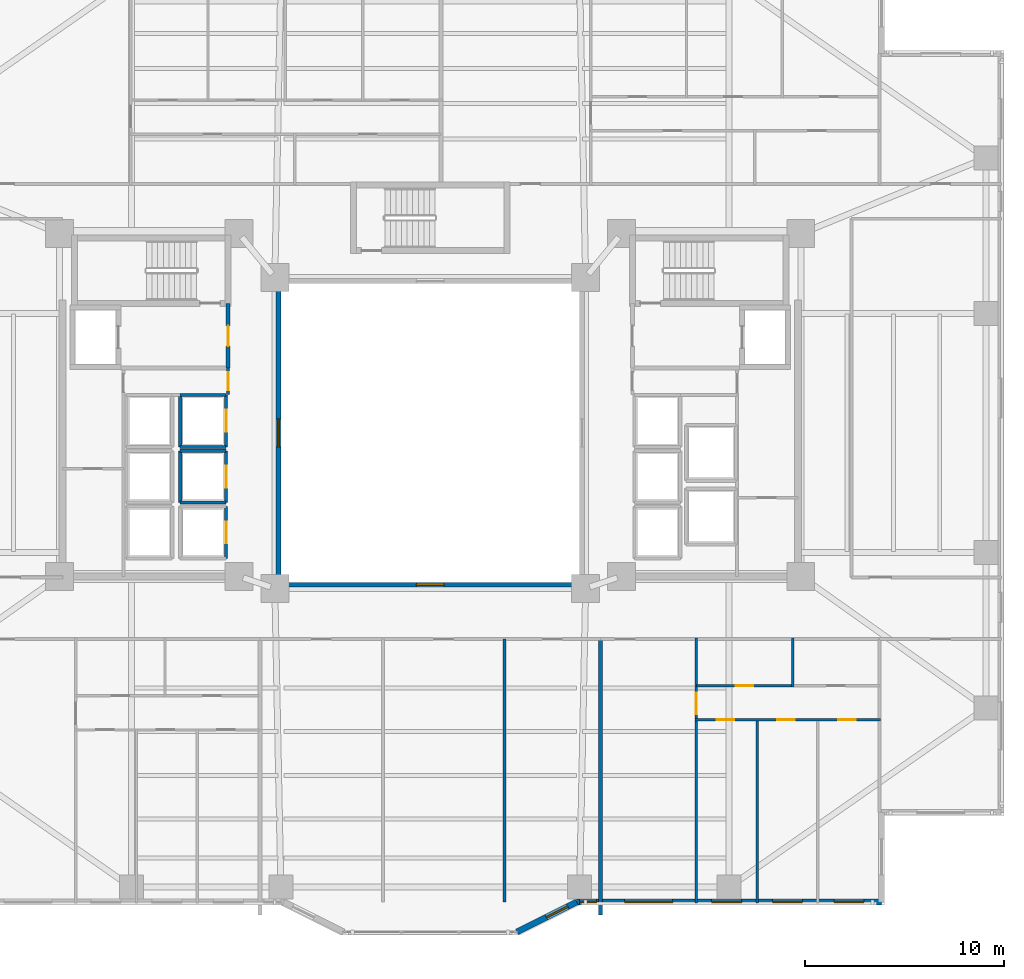
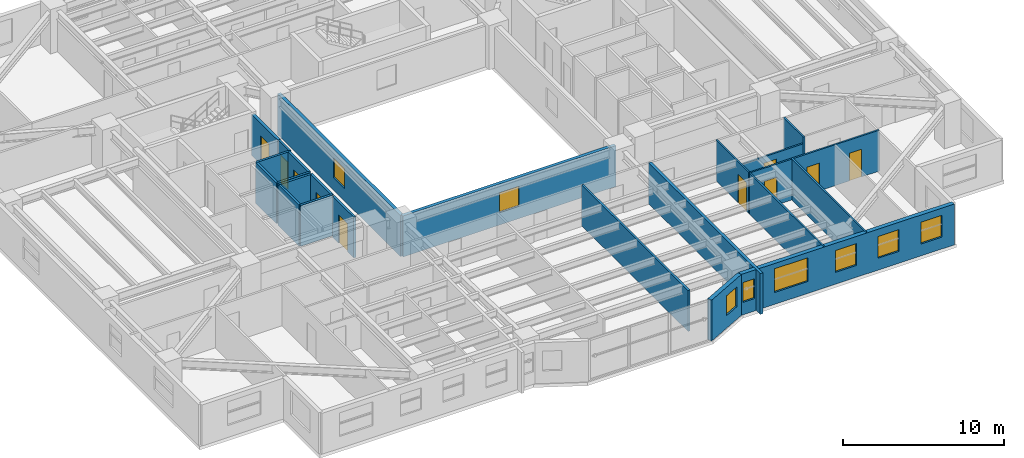
# One storey, part 11 of 20: 22 walls, 10 doors, 8 windows, 18 openings.
"""IFC4 building model written with IfcOpenShell, lengths in metres."""

from ifc_helpers import new_model, si_unit, direction, frame, frame_2d, origin, place, context, subcontext, project, spatial, rectangle, extrude, material, layer, layer_set, type_object, element, fill, save


model = new_model("IFC4")

# Units and contexts
model_context = context("Model", 3, precision=1e-05, world=origin(), true_north=direction((0.0, 1.0)))
body_context = subcontext(model_context, "Body", "Model", "MODEL_VIEW")
ifc_project = project(units=[si_unit("LENGTHUNIT", "METRE"), si_unit("AREAUNIT", "SQUARE_METRE"), si_unit("VOLUMEUNIT", "CUBIC_METRE"), si_unit("PLANEANGLEUNIT", "RADIAN"), si_unit("MASSUNIT", "GRAM", prefix="KILO")], contexts=[model_context])

# Site, building, storey
site_placement = place(None, origin())
site = spatial("IfcSite", under=ifc_project, at=site_placement, CompositionType="ELEMENT")
building_placement = place(site_placement, origin())
building = spatial("IfcBuilding", under=site, at=building_placement, Name="Tarnavaz Court Tower", CompositionType="ELEMENT")
storey_placement = place(building_placement, frame((0.0, 0.0, 34.050048828125)))
storey = spatial("IfcBuildingStorey", under=building, at=storey_placement, Name="L08", CompositionType="ELEMENT", Elevation=34.050048828125)

# Wall, openings, windows
ifc_material_1 = material(Name="Precast Concrete C40/50", Category="concrete")
ifc_layer_1 = layer(ifc_material_1, 0.300048828125)
ifc_layer_set_1 = layer_set([ifc_layer_1], Name="Precast Concrete C40/50")
wall_type_1 = type_object("IfcWallType", Name="WL-EXT-300", PredefinedType="SOLIDWALL", material=ifc_layer_set_1)
wall_1_placement = place(storey_placement, frame((22.64990234375, -23.550048828125, 0.0), z_axis=(0.0, 0.0, 1.0), x_axis=(-1.0, 0.0, 0.0)))
wall_1 = element("IfcWall", 1, at=wall_1_placement, inside=storey, type_object=wall_type_1, Name="L08 Exterior Terracotta Facade Wall 15", PredefinedType="SOLIDWALL", context=body_context, shape_type="SweptSolid", body=[
    extrude(rectangle(XDim=15.2998046875, YDim=0.300048828125, at=frame_2d((7.64990234375, 0.0))), origin(), (0.0, 0.0, 1.0), 3.099853515625),
])
opening_1_placement = place(wall_1_placement, frame((0.88037109375, 0.0, 0.89990234375)))
opening_1 = element("IfcOpeningElement", 2, at=opening_1_placement, cuts=wall_1, Name="Opening W03", PredefinedType="OPENING", context=body_context, shape_type="SweptSolid", body=[
    extrude(rectangle(XDim=1.5, YDim=1.64990234375, at=frame_2d((0.75, 0.824951171875))), frame((0.0, 0.159912109375, 0.0), z_axis=(0.0, -1.0, 0.0), x_axis=(1.0, 0.0, 0.0)), (0.0, 0.0, 1.0), 0.320068359375),
])
opening_2_placement = place(wall_1_placement, frame((3.96533203125, 0.0, 0.89990234375)))
opening_2 = element("IfcOpeningElement", 3, at=opening_2_placement, cuts=wall_1, Name="Opening W03", PredefinedType="OPENING", context=body_context, shape_type="SweptSolid", body=[
    extrude(rectangle(XDim=1.5, YDim=1.64990234375, at=frame_2d((0.75, 0.824951171875))), frame((0.0, 0.159912109375, 0.0), z_axis=(0.0, -1.0, 0.0), x_axis=(1.0, 0.0, 0.0)), (0.0, 0.0, 1.0), 0.320068359375),
])
opening_3_placement = place(wall_1_placement, frame((7.025390625, 0.0, 0.89990234375)))
opening_3 = element("IfcOpeningElement", 4, at=opening_3_placement, cuts=wall_1, Name="Opening W03", PredefinedType="OPENING", context=body_context, shape_type="SweptSolid", body=[
    extrude(rectangle(XDim=1.5, YDim=1.64990234375, at=frame_2d((0.75, 0.824951171875))), frame((0.0, 0.159912109375, 0.0), z_axis=(0.0, -1.0, 0.0), x_axis=(1.0, 0.0, 0.0)), (0.0, 0.0, 1.0), 0.320068359375),
])
opening_4_placement = place(wall_1_placement, frame((10.48828125, 0.0, 0.89990234375)))
opening_4 = element("IfcOpeningElement", 5, at=opening_4_placement, cuts=wall_1, Name="Opening W06", PredefinedType="OPENING", context=body_context, shape_type="SweptSolid", body=[
    extrude(rectangle(XDim=2.39990234375, YDim=1.800048828125, at=frame_2d((1.199951171875, 0.89990234375))), frame((0.0, 0.159912109375, 0.0), z_axis=(0.0, -1.0, 0.0), x_axis=(1.0, 0.0, 0.0)), (0.0, 0.0, 1.0), 0.320068359375),
])
opening_5_placement = place(wall_1_placement, frame((14.30322265625, 0.0, 0.949951171875)))
opening_5 = element("IfcOpeningElement", 6, at=opening_5_placement, cuts=wall_1, Name="Opening W15", PredefinedType="OPENING", context=body_context, shape_type="SweptSolid", body=[
    extrude(rectangle(XDim=0.85009765625, YDim=1.5, at=frame_2d((0.425048828125, 0.75))), frame((0.0, 0.159912109375, 0.0), z_axis=(0.0, -1.0, 0.0), x_axis=(1.0, 0.0, 0.0)), (0.0, 0.0, 1.0), 0.320068359375),
])
ifc_material_2 = material(Name="Double-Glazed Solar Low-E Glass", Category="glass")
window_type_1 = type_object("IfcWindowType", Name="WN-APT-1500", PartitioningType="DOUBLE_PANEL_VERTICAL", PredefinedType="WINDOW", material=ifc_material_2)
window_1_placement = place(opening_1_placement, origin())
window_1 = element("IfcWindow", 7, at=window_1_placement, inside=storey, type_object=window_type_1, Name="L08 Flat 04 Bedroom 3 Window", OverallHeight=1.64990234375, OverallWidth=1.5, PartitioningType="SINGLE_PANEL", PredefinedType="WINDOW", context=body_context, shape_type="SweptSolid", body=[
    extrude(rectangle(XDim=1.5, YDim=1.64990234375, at=frame_2d((0.75, 0.824951171875))), frame((0.0, 0.030029296875, 0.0), z_axis=(0.0, -1.0, 0.0), x_axis=(1.0, 0.0, 0.0)), (0.0, 0.0, 1.0), 0.06005859375),
])
fill(opening_1, window_1)
window_2_placement = place(opening_2_placement, origin())
window_2 = element("IfcWindow", 8, at=window_2_placement, inside=storey, type_object=window_type_1, Name="L08 Flat 04 Bedroom 2 Window", OverallHeight=1.64990234375, OverallWidth=1.5, PartitioningType="SINGLE_PANEL", PredefinedType="WINDOW", context=body_context, shape_type="SweptSolid", body=[
    extrude(rectangle(XDim=1.5, YDim=1.64990234375, at=frame_2d((0.75, 0.824951171875))), frame((0.0, 0.030029296875, 0.0), z_axis=(0.0, -1.0, 0.0), x_axis=(1.0, 0.0, 0.0)), (0.0, 0.0, 1.0), 0.06005859375),
])
fill(opening_2, window_2)
window_3_placement = place(opening_3_placement, origin())
window_3 = element("IfcWindow", 9, at=window_3_placement, inside=storey, type_object=window_type_1, Name="L08 Flat 04 Principal Bedroom Window", OverallHeight=1.64990234375, OverallWidth=1.5, PartitioningType="SINGLE_PANEL", PredefinedType="WINDOW", context=body_context, shape_type="SweptSolid", body=[
    extrude(rectangle(XDim=1.5, YDim=1.64990234375, at=frame_2d((0.75, 0.824951171875))), frame((0.0, 0.030029296875, 0.0), z_axis=(0.0, -1.0, 0.0), x_axis=(1.0, 0.0, 0.0)), (0.0, 0.0, 1.0), 0.06005859375),
])
fill(opening_3, window_3)
window_type_2 = type_object("IfcWindowType", Name="WN-APT-2400", PartitioningType="TRIPLE_PANEL_VERTICAL", PredefinedType="WINDOW", material=ifc_material_2)
window_4_placement = place(opening_4_placement, origin())
window_4 = element("IfcWindow", 10, at=window_4_placement, inside=storey, type_object=window_type_2, Name="L08 Flat 04 Living and Dining Room Window", OverallHeight=1.800048828125, OverallWidth=2.39990234375, PartitioningType="SINGLE_PANEL", PredefinedType="WINDOW", context=body_context, shape_type="SweptSolid", body=[
    extrude(rectangle(XDim=2.39990234375, YDim=1.800048828125, at=frame_2d((1.199951171875, 0.89990234375))), frame((0.0, 0.030029296875, 0.0), z_axis=(0.0, -1.0, 0.0), x_axis=(1.0, 0.0, 0.0)), (0.0, 0.0, 1.0), 0.06005859375),
])
fill(opening_4, window_4)
window_type_3 = type_object("IfcWindowType", Name="WN-APT-850", PartitioningType="SINGLE_PANEL", PredefinedType="WINDOW", material=ifc_material_2)
window_5_placement = place(opening_5_placement, origin())
window_5 = element("IfcWindow", 11, at=window_5_placement, inside=storey, type_object=window_type_3, Name="L08 Shared Community Tea Pantry Window", OverallHeight=1.5, OverallWidth=0.85009765625, PartitioningType="SINGLE_PANEL", PredefinedType="WINDOW", context=body_context, shape_type="SweptSolid", body=[
    extrude(rectangle(XDim=0.85009765625, YDim=1.5, at=frame_2d((0.425048828125, 0.75))), frame((0.0, 0.030029296875, 0.0), z_axis=(0.0, -1.0, 0.0), x_axis=(1.0, 0.0, 0.0)), (0.0, 0.0, 1.0), 0.06005859375),
])
fill(opening_5, window_5)

# Wall, opening, window
wall_2_placement = place(storey_placement, frame((7.35009765625, -23.550048828125, 0.0), z_axis=(0.0, 0.0, 1.0), x_axis=(-0.894427191, -0.4472135955, 0.0)))
wall_2 = element("IfcWall", 12, at=wall_2_placement, inside=storey, type_object=wall_type_1, Name="L08 Exterior Terracotta Facade Wall 16", PredefinedType="SOLIDWALL", context=body_context, shape_type="SweptSolid", body=[
    extrude(rectangle(XDim=3.35400390625, YDim=0.300048828125, at=frame_2d((1.677001953125, 0.0))), origin(), (0.0, 0.0, 1.0), 3.099853515625),
])
opening_6_placement = place(wall_2_placement, frame((0.501220703125, 0.0, 0.949951171875)))
opening_6 = element("IfcOpeningElement", 13, at=opening_6_placement, cuts=wall_2, Name="Opening W05", PredefinedType="OPENING", context=body_context, shape_type="SweptSolid", body=[
    extrude(rectangle(XDim=1.199951171875, YDim=1.5, at=frame_2d((0.60009765625, 0.75))), frame((0.0, 0.159912109375, 0.0), z_axis=(0.0, -1.0, 0.0), x_axis=(1.0, 0.0, 0.0)), (0.0, 0.0, 1.0), 0.320068359375),
])
window_type_4 = type_object("IfcWindowType", Name="WN-APT-1200", PartitioningType="SINGLE_PANEL", PredefinedType="WINDOW", material=ifc_material_2)
window_6_placement = place(opening_6_placement, origin())
window_6 = element("IfcWindow", 14, at=window_6_placement, inside=storey, type_object=window_type_4, Name="L08 Shared Community Tea Pantry Window", OverallHeight=1.5, OverallWidth=1.199951171875, PartitioningType="SINGLE_PANEL", PredefinedType="WINDOW", context=body_context, shape_type="SweptSolid", body=[
    extrude(rectangle(XDim=1.199951171875, YDim=1.5, at=frame_2d((0.60009765625, 0.75))), frame((0.0, 0.030029296875, 0.0), z_axis=(0.0, -1.0, 0.0), x_axis=(1.0, 0.0, 0.0)), (0.0, 0.0, 1.0), 0.06005859375),
])
fill(opening_6, window_6)

# Wall, opening, door
ifc_material_3 = material(Name="Autoclaved Aerated Concrete Blockwork", Category="masonry")
ifc_layer_2 = layer(ifc_material_3, 0.199951171875)
ifc_layer_set_2 = layer_set([ifc_layer_2], Name="Autoclaved Aerated Concrete Blockwork")
wall_type_2 = type_object("IfcWallType", Name="WL-FIRE-200", PredefinedType="SOLIDWALL", material=ifc_layer_set_2)
wall_3_placement = place(storey_placement, frame((-10.14990234375, 3.25, 0.0), z_axis=(0.0, 0.0, 1.0), x_axis=(0.0, 1.0, 0.0)))
wall_3 = element("IfcWall", 15, at=wall_3_placement, inside=storey, type_object=wall_type_2, Name="L08 West Firefighting Lobby Wall 014", PredefinedType="SOLIDWALL", context=body_context, shape_type="SweptSolid", body=[
    extrude(rectangle(XDim=3.25, YDim=0.199951171875, at=frame_2d((1.625, 0.0))), origin(), (0.0, 0.0, 1.0), 3.099853515625),
])
opening_7_placement = place(wall_3_placement, frame((1.10009765625, 0.0, 0.0)))
opening_7 = element("IfcOpeningElement", 16, at=opening_7_placement, cuts=wall_3, Name="Opening D05", PredefinedType="OPENING", context=body_context, shape_type="SweptSolid", body=[
    extrude(rectangle(XDim=1.02001953125, YDim=2.14990234375, at=frame_2d((0.510009765625, 1.074951171875))), frame((0.0, 0.10986328125, 0.0), z_axis=(0.0, -1.0, 0.0), x_axis=(1.0, 0.0, 0.0)), (0.0, 0.0, 1.0), 0.219970703125),
])
ifc_material_4 = material(Name="Fire-Rated Hardwood Timber Core", Category="wood")
door_type_1 = type_object("IfcDoorType", Name="DR-FD60-1000", OperationType="NOTDEFINED", PredefinedType="DOOR", material=ifc_material_4)
door_1_placement = place(opening_7_placement, origin())
door_1 = element("IfcDoor", 17, at=door_1_placement, inside=storey, type_object=door_type_1, Name="L08 West Firefighting Lobby Door", OperationType="SINGLE_SWING_RIGHT", OverallHeight=2.14990234375, OverallWidth=1.02001953125, PredefinedType="DOOR", context=body_context, shape_type="SweptSolid", body=[
    extrude(rectangle(XDim=1.02001953125, YDim=2.14990234375, at=frame_2d((0.510009765625, 1.074951171875))), frame((0.0, 0.02490234375, 0.0), z_axis=(0.0, -1.0, 0.0), x_axis=(1.0, 0.0, 0.0)), (0.0, 0.0, 1.0), 0.050048828125),
])
fill(opening_7, door_1)

# Wall
wall_4_placement = place(storey_placement, frame((8.550048828125, -24.2041015625, 0.0), z_axis=(0.0, 0.0, 1.0), x_axis=(0.0, 1.0, 0.0)))
element("IfcWall", 18, at=wall_4_placement, inside=storey, type_object=wall_type_2, Name="L08 Party Wall 118", PredefinedType="SOLIDWALL", context=body_context, shape_type="SweptSolid", body=[
    extrude(rectangle(XDim=13.85400390625, YDim=0.199951171875, at=frame_2d((6.927001953125, 0.0))), origin(), (0.0, 0.0, 1.0), 3.099853515625),
])

# Wall, opening, door
ifc_material_5 = material(Name="Moisture-Resistant Gypsum Board Partition", Category="masonry")
ifc_layer_3 = layer(ifc_material_5, 0.1201171875)
ifc_layer_set_3 = layer_set([ifc_layer_3], Name="Moisture-Resistant Gypsum Board Partition")
wall_type_3 = type_object("IfcWallType", Name="WL-PART-120", PredefinedType="PARTITIONING", material=ifc_layer_set_3)
wall_5_placement = place(storey_placement, frame((13.362060546875, -23.60009765625, 0.0), z_axis=(0.0, 0.0, 1.0), x_axis=(0.0, 1.0, 0.0)))
wall_5 = element("IfcWall", 19, at=wall_5_placement, inside=storey, type_object=wall_type_3, Name="L08 Interior Partition 110", PredefinedType="PARTITIONING", context=body_context, shape_type="SweptSolid", body=[
    extrude(rectangle(XDim=13.31005859375, YDim=0.1201171875, at=frame_2d((6.655029296875, 0.0))), origin(), (0.0, 0.0, 1.0), 3.099853515625),
])
opening_8_placement = place(wall_5_placement, frame((9.485107421875, 0.0, 0.0)))
opening_8 = element("IfcOpeningElement", 20, at=opening_8_placement, cuts=wall_5, Name="Opening D12", PredefinedType="OPENING", context=body_context, shape_type="SweptSolid", body=[
    extrude(rectangle(XDim=1.080078125, YDim=2.14990234375, at=frame_2d((0.5400390625, 1.074951171875))), frame((0.0, 0.070068359375, 0.0), z_axis=(0.0, -1.0, 0.0), x_axis=(1.0, 0.0, 0.0)), (0.0, 0.0, 1.0), 0.14013671875),
])
ifc_material_6 = material(Name="Engineered Oak Timber", Category="wood")
door_type_2 = type_object("IfcDoorType", Name="DR-INT-1100", OperationType="NOTDEFINED", PredefinedType="DOOR", material=ifc_material_6)
door_2_placement = place(opening_8_placement, origin())
door_2 = element("IfcDoor", 21, at=door_2_placement, inside=storey, type_object=door_type_2, Name="L08 Flat 04 Foyer Door", OperationType="SINGLE_SWING_RIGHT", OverallHeight=2.14990234375, OverallWidth=1.080078125, PredefinedType="DOOR", context=body_context, shape_type="SweptSolid", body=[
    extrude(rectangle(XDim=1.080078125, YDim=2.14990234375, at=frame_2d((0.5400390625, 1.074951171875))), frame((0.0, 0.02490234375, 0.0), z_axis=(0.0, -1.0, 0.0), x_axis=(1.0, 0.0, 0.0)), (0.0, 0.0, 1.0), 0.050048828125),
])
fill(opening_8, door_2)

wall_6_placement = place(storey_placement, frame((13.362060546875, -12.68994140625, 0.0), z_axis=(0.0, 0.0, 1.0), x_axis=(1.0, 0.0, 0.0)))
wall_6 = element("IfcWall", 22, at=wall_6_placement, inside=storey, type_object=wall_type_3, Name="L08 Interior Partition 111", PredefinedType="PARTITIONING", context=body_context, shape_type="SweptSolid", body=[
    extrude(rectangle(XDim=4.837890625, YDim=0.1201171875, at=frame_2d((2.4189453125, 0.0))), origin(), (0.0, 0.0, 1.0), 2.5849609375),
])
opening_9_placement = place(wall_6_placement, frame((1.97900390625, 0.0, 0.0)))
opening_9 = element("IfcOpeningElement", 23, at=opening_9_placement, cuts=wall_6, Name="Opening D14", PredefinedType="OPENING", context=body_context, shape_type="SweptSolid", body=[
    extrude(rectangle(XDim=0.8798828125, YDim=2.10009765625, at=frame_2d((0.43994140625, 1.050048828125))), frame((0.0, 0.070068359375, 0.0), z_axis=(0.0, -1.0, 0.0), x_axis=(1.0, 0.0, 0.0)), (0.0, 0.0, 1.0), 0.14013671875),
])
door_type_3 = type_object("IfcDoorType", Name="DR-INT-900", OperationType="NOTDEFINED", PredefinedType="DOOR", material=ifc_material_6)
door_3_placement = place(opening_9_placement, origin())
door_3 = element("IfcDoor", 24, at=door_3_placement, inside=storey, type_object=door_type_3, Name="L08 Flat 04 Kitchen Door", OperationType="SINGLE_SWING_LEFT", OverallHeight=2.10009765625, OverallWidth=0.8798828125, PredefinedType="DOOR", context=body_context, shape_type="SweptSolid", body=[
    extrude(rectangle(XDim=0.8798828125, YDim=2.10009765625, at=frame_2d((0.43994140625, 1.050048828125))), frame((0.0, 0.02490234375, 0.0), z_axis=(0.0, -1.0, 0.0), x_axis=(1.0, 0.0, 0.0)), (0.0, 0.0, 1.0), 0.050048828125),
])
fill(opening_9, door_3)

# Wall, openings, doors
wall_7_placement = place(storey_placement, frame((13.302001953125, -14.39990234375, 0.0), z_axis=(0.0, 0.0, 1.0), x_axis=(1.0, 0.0, 0.0)))
wall_7 = element("IfcWall", 25, at=wall_7_placement, inside=storey, type_object=wall_type_3, Name="L08 Interior Partition 113", PredefinedType="PARTITIONING", context=body_context, shape_type="SweptSolid", body=[
    extrude(rectangle(XDim=9.30810546875, YDim=0.1201171875, at=frame_2d((4.654052734375, 0.0))), origin(), (0.0, 0.0, 1.0), 3.099853515625),
])
opening_10_placement = place(wall_7_placement, frame((1.0810546875, 0.0, 0.0)))
opening_10 = element("IfcOpeningElement", 26, at=opening_10_placement, cuts=wall_7, Name="Opening D14", PredefinedType="OPENING", context=body_context, shape_type="SweptSolid", body=[
    extrude(rectangle(XDim=0.8798828125, YDim=2.10009765625, at=frame_2d((0.43994140625, 1.050048828125))), frame((0.0, 0.070068359375, 0.0), z_axis=(0.0, -1.0, 0.0), x_axis=(1.0, 0.0, 0.0)), (0.0, 0.0, 1.0), 0.14013671875),
])
opening_11_placement = place(wall_7_placement, frame((4.1240234375, 0.0, 0.0)))
opening_11 = element("IfcOpeningElement", 27, at=opening_11_placement, cuts=wall_7, Name="Opening D14", PredefinedType="OPENING", context=body_context, shape_type="SweptSolid", body=[
    extrude(rectangle(XDim=0.8798828125, YDim=2.10009765625, at=frame_2d((0.43994140625, 1.050048828125))), frame((0.0, 0.070068359375, 0.0), z_axis=(0.0, -1.0, 0.0), x_axis=(1.0, 0.0, 0.0)), (0.0, 0.0, 1.0), 0.14013671875),
])
opening_12_placement = place(wall_7_placement, frame((7.1669921875, 0.0, 0.0)))
opening_12 = element("IfcOpeningElement", 28, at=opening_12_placement, cuts=wall_7, Name="Opening D14", PredefinedType="OPENING", context=body_context, shape_type="SweptSolid", body=[
    extrude(rectangle(XDim=0.8798828125, YDim=2.10009765625, at=frame_2d((0.43994140625, 1.050048828125))), frame((0.0, 0.070068359375, 0.0), z_axis=(0.0, -1.0, 0.0), x_axis=(1.0, 0.0, 0.0)), (0.0, 0.0, 1.0), 0.14013671875),
])
door_4_placement = place(opening_10_placement, origin())
door_4 = element("IfcDoor", 29, at=door_4_placement, inside=storey, type_object=door_type_3, Name="L08 Flat 04 Bedroom 1 Door", OperationType="SINGLE_SWING_LEFT", OverallHeight=2.10009765625, OverallWidth=0.8798828125, PredefinedType="DOOR", context=body_context, shape_type="SweptSolid", body=[
    extrude(rectangle(XDim=0.8798828125, YDim=2.10009765625, at=frame_2d((0.43994140625, 1.050048828125))), frame((0.0, 0.02490234375, 0.0), z_axis=(0.0, -1.0, 0.0), x_axis=(1.0, 0.0, 0.0)), (0.0, 0.0, 1.0), 0.050048828125),
])
fill(opening_10, door_4)
door_5_placement = place(opening_11_placement, origin())
door_5 = element("IfcDoor", 30, at=door_5_placement, inside=storey, type_object=door_type_3, Name="L08 Flat 04 Bedroom 2 Door", OperationType="SINGLE_SWING_RIGHT", OverallHeight=2.10009765625, OverallWidth=0.8798828125, PredefinedType="DOOR", context=body_context, shape_type="SweptSolid", body=[
    extrude(rectangle(XDim=0.8798828125, YDim=2.10009765625, at=frame_2d((0.43994140625, 1.050048828125))), frame((0.0, 0.02490234375, 0.0), z_axis=(0.0, -1.0, 0.0), x_axis=(1.0, 0.0, 0.0)), (0.0, 0.0, 1.0), 0.050048828125),
])
fill(opening_11, door_5)
door_6_placement = place(opening_12_placement, origin())
door_6 = element("IfcDoor", 31, at=door_6_placement, inside=storey, type_object=door_type_3, Name="L08 Flat 04 Bedroom 3 Door", OperationType="SINGLE_SWING_LEFT", OverallHeight=2.10009765625, OverallWidth=0.8798828125, PredefinedType="DOOR", context=body_context, shape_type="SweptSolid", body=[
    extrude(rectangle(XDim=0.8798828125, YDim=2.10009765625, at=frame_2d((0.43994140625, 1.050048828125))), frame((0.0, 0.02490234375, 0.0), z_axis=(0.0, -1.0, 0.0), x_axis=(1.0, 0.0, 0.0)), (0.0, 0.0, 1.0), 0.050048828125),
])
fill(opening_12, door_6)

# Walls
wall_8_placement = place(storey_placement, frame((18.199951171875, -12.75, 0.0), z_axis=(0.0, 0.0, 1.0), x_axis=(0.0, 1.0, 0.0)))
element("IfcWall", 32, at=wall_8_placement, inside=storey, type_object=wall_type_3, Name="L08 Interior Partition 114", PredefinedType="PARTITIONING", context=body_context, shape_type="SweptSolid", body=[
    extrude(rectangle(XDim=2.4599609375, YDim=0.1201171875, at=frame_2d((1.22998046875, 0.0))), origin(), (0.0, 0.0, 1.0), 3.099853515625),
])
wall_9_placement = place(storey_placement, frame((16.405029296875, -23.60009765625, 0.0), z_axis=(0.0, 0.0, 1.0), x_axis=(0.0, 1.0, 0.0)))
element("IfcWall", 33, at=wall_9_placement, inside=storey, type_object=wall_type_3, Name="L08 Interior Partition 115", PredefinedType="PARTITIONING", context=body_context, shape_type="SweptSolid", body=[
    extrude(rectangle(XDim=9.260009765625, YDim=0.1201171875, at=frame_2d((4.6298828125, 0.0))), origin(), (0.0, 0.0, 1.0), 3.099853515625),
])

# Wall, opening, door
ifc_material_7 = material(Name="Gypsum Plasterboard Acoustic Partition", Category="masonry")
ifc_layer_4 = layer(ifc_material_7, 0.139892578125)
ifc_layer_set_4 = layer_set([ifc_layer_4], Name="Gypsum Plasterboard Acoustic Partition")
wall_type_4 = type_object("IfcWallType", Name="WL-PART-150", PredefinedType="PARTITIONING", material=ifc_layer_set_4)
wall_10_placement = place(storey_placement, frame((-10.14990234375, 1.919921875, 0.0), z_axis=(0.0, 0.0, 1.0), x_axis=(0.0, 1.0, 0.0)))
wall_10 = element("IfcWall", 34, at=wall_10_placement, inside=storey, type_object=wall_type_4, Name="L08 Interior Partition 074", PredefinedType="PARTITIONING", context=body_context, shape_type="SweptSolid", body=[
    extrude(rectangle(XDim=1.330078125, YDim=0.139892578125, at=frame_2d((0.6650390625, 0.0))), origin(), (0.0, 0.0, 1.0), 3.099853515625),
])
opening_13_placement = place(wall_10_placement, frame((0.219970703125, 0.0, 0.0)))
opening_13 = element("IfcOpeningElement", 35, at=opening_13_placement, cuts=wall_10, Name="Opening D09", PredefinedType="OPENING", context=body_context, shape_type="SweptSolid", body=[
    extrude(rectangle(XDim=0.89990234375, YDim=2.080078125, at=frame_2d((0.449951171875, 1.0400390625))), frame((0.0, 0.079833984375, 0.0), z_axis=(0.0, -1.0, 0.0), x_axis=(1.0, 0.0, 0.0)), (0.0, 0.0, 1.0), 0.159912109375),
])
door_type_4 = type_object("IfcDoorType", Name="DR-FD30-900", OperationType="NOTDEFINED", PredefinedType="DOOR", material=ifc_material_4)
door_7_placement = place(opening_13_placement, origin())
door_7 = element("IfcDoor", 36, at=door_7_placement, inside=storey, type_object=door_type_4, Name="L08 West Core Service Lobby Door", OperationType="SINGLE_SWING_LEFT", OverallHeight=2.080078125, OverallWidth=0.89990234375, PredefinedType="DOOR", context=body_context, shape_type="SweptSolid", body=[
    extrude(rectangle(XDim=0.89990234375, YDim=2.080078125, at=frame_2d((0.449951171875, 1.0400390625))), frame((0.0, 0.02490234375, 0.0), z_axis=(0.0, -1.0, 0.0), x_axis=(1.0, 0.0, 0.0)), (0.0, 0.0, 1.0), 0.050048828125),
])
fill(opening_13, door_7)

# Wall
wall_11_placement = place(storey_placement, frame((3.73095703125, -23.550048828125, 0.0), z_axis=(0.0, 0.0, 1.0), x_axis=(0.0, 1.0, 0.0)))
element("IfcWall", 37, at=wall_11_placement, inside=storey, type_object=wall_type_4, Name="L08 Interior Partition 120", PredefinedType="PARTITIONING", context=body_context, shape_type="SweptSolid", body=[
    extrude(rectangle(XDim=13.199951171875, YDim=0.139892578125, at=frame_2d((6.60009765625, 0.0))), origin(), (0.0, 0.0, 1.0), 3.099853515625),
])

# Wall, opening, door
ifc_layer_5 = layer(ifc_material_3, 0.159912109375)
ifc_layer_set_5 = layer_set([ifc_layer_5], Name="Autoclaved Aerated Concrete Blockwork")
wall_type_5 = type_object("IfcWallType", Name="WL-SHAFT-150", PredefinedType="SOLIDWALL", material=ifc_layer_set_5)
wall_12_placement = place(storey_placement, frame((-10.25, -6.300048828125, 0.0), z_axis=(0.0, 0.0, 1.0), x_axis=(0.0, 1.0, 0.0)))
wall_12 = element("IfcWall", 38, at=wall_12_placement, inside=storey, type_object=wall_type_5, Name="L08 Lift PL-L1 Shaft Wall 022", PredefinedType="SOLIDWALL", context=body_context, shape_type="SweptSolid", body=[
    extrude(rectangle(XDim=2.60009765625, YDim=0.159912109375, at=frame_2d((1.300048828125, 0.0))), origin(), (0.0, 0.0, 1.0), 3.099853515625),
])
opening_14_placement = place(wall_12_placement, frame((0.75, 0.0, 0.0)))
opening_14 = element("IfcOpeningElement", 39, at=opening_14_placement, cuts=wall_12, Name="Opening LD1", PredefinedType="OPENING", context=body_context, shape_type="SweptSolid", body=[
    extrude(rectangle(XDim=1.10009765625, YDim=2.14990234375, at=frame_2d((0.550048828125, 1.074951171875))), frame((0.0, 0.08984375, 0.0), z_axis=(0.0, -1.0, 0.0), x_axis=(1.0, 0.0, 0.0)), (0.0, 0.0, 1.0), 0.179931640625),
])
ifc_material_8 = material(Name="Stainless Steel", Category="steel")
door_type_5 = type_object("IfcDoorType", Name="DR-LD-1100", OperationType="NOTDEFINED", PredefinedType="DOOR", material=ifc_material_8)
door_8_placement = place(opening_14_placement, origin())
door_8 = element("IfcDoor", 40, at=door_8_placement, inside=storey, type_object=door_type_5, Name="L08 Lift Landing Door LD-PL-L1", OperationType="SLIDING_TO_LEFT", OverallHeight=2.14990234375, OverallWidth=1.10009765625, PredefinedType="DOOR", context=body_context, shape_type="SweptSolid", body=[
    extrude(rectangle(XDim=1.10009765625, YDim=2.14990234375, at=frame_2d((0.550048828125, 1.074951171875))), frame((0.0, 0.02490234375, 0.0), z_axis=(0.0, -1.0, 0.0), x_axis=(1.0, 0.0, 0.0)), (0.0, 0.0, 1.0), 0.050048828125),
])
fill(opening_14, door_8)

# Wall
wall_13_placement = place(storey_placement, frame((-12.550048828125, -3.5, 0.0), z_axis=(0.0, 0.0, 1.0), x_axis=(0.0, 1.0, 0.0)))
element("IfcWall", 41, at=wall_13_placement, inside=storey, type_object=wall_type_5, Name="L08 Lift PL-L2 Shaft Wall 025", PredefinedType="SOLIDWALL", context=body_context, shape_type="SweptSolid", body=[
    extrude(rectangle(XDim=2.60009765625, YDim=0.159912109375, at=frame_2d((1.300048828125, 0.0))), origin(), (0.0, 0.0, 1.0), 3.099853515625),
])

# Wall, opening, door
wall_14_placement = place(storey_placement, frame((-10.25, -3.5, 0.0), z_axis=(0.0, 0.0, 1.0), x_axis=(0.0, 1.0, 0.0)))
wall_14 = element("IfcWall", 42, at=wall_14_placement, inside=storey, type_object=wall_type_5, Name="L08 Lift PL-L2 Shaft Wall 026", PredefinedType="SOLIDWALL", context=body_context, shape_type="SweptSolid", body=[
    extrude(rectangle(XDim=2.60009765625, YDim=0.159912109375, at=frame_2d((1.300048828125, 0.0))), origin(), (0.0, 0.0, 1.0), 3.099853515625),
])
opening_15_placement = place(wall_14_placement, frame((0.75, 0.0, 0.0)))
opening_15 = element("IfcOpeningElement", 43, at=opening_15_placement, cuts=wall_14, Name="Opening LD1", PredefinedType="OPENING", context=body_context, shape_type="SweptSolid", body=[
    extrude(rectangle(XDim=1.10009765625, YDim=2.14990234375, at=frame_2d((0.550048828125, 1.074951171875))), frame((0.0, 0.08984375, 0.0), z_axis=(0.0, -1.0, 0.0), x_axis=(1.0, 0.0, 0.0)), (0.0, 0.0, 1.0), 0.179931640625),
])
door_9_placement = place(opening_15_placement, origin())
door_9 = element("IfcDoor", 44, at=door_9_placement, inside=storey, type_object=door_type_5, Name="L08 Lift Landing Door LD-PL-L2", OperationType="SLIDING_TO_LEFT", OverallHeight=2.14990234375, OverallWidth=1.10009765625, PredefinedType="DOOR", context=body_context, shape_type="SweptSolid", body=[
    extrude(rectangle(XDim=1.10009765625, YDim=2.14990234375, at=frame_2d((0.550048828125, 1.074951171875))), frame((0.0, 0.02490234375, 0.0), z_axis=(0.0, -1.0, 0.0), x_axis=(1.0, 0.0, 0.0)), (0.0, 0.0, 1.0), 0.050048828125),
])
fill(opening_15, door_9)

# Walls
for number, where, z_axis, x_axis, name in (
    (45, (-12.550048828125, -3.5, 0.0), (0.0, 0.0, 1.0), (1.0, 0.0, 0.0), "L08 Lift PL-L2 Shaft Wall 027"),
    (46, (-12.550048828125, -0.89990234375, 0.0), (0.0, 0.0, 1.0), (1.0, 0.0, 0.0), "L08 Lift PL-L2 Shaft Wall 028"),
):
    element("IfcWall", number, at=place(storey_placement, frame(where, z_axis=z_axis, x_axis=x_axis)), inside=storey, type_object=wall_type_5, Name=name, PredefinedType="SOLIDWALL", context=body_context, shape_type="SweptSolid", body=[
        extrude(rectangle(XDim=2.300048828125, YDim=0.159912109375, at=frame_2d((1.14990234375, 0.0))), origin(), (0.0, 0.0, 1.0), 3.099853515625),
    ])
wall_15_placement = place(storey_placement, frame((-12.550048828125, -0.699951171875, 0.0), z_axis=(0.0, 0.0, 1.0), x_axis=(0.0, 1.0, 0.0)))
element("IfcWall", 47, at=wall_15_placement, inside=storey, type_object=wall_type_5, Name="L08 Lift PL-L3 Shaft Wall 029", PredefinedType="SOLIDWALL", context=body_context, shape_type="SweptSolid", body=[
    extrude(rectangle(XDim=2.599853515625, YDim=0.159912109375, at=frame_2d((1.2998046875, 0.0))), origin(), (0.0, 0.0, 1.0), 3.099853515625),
])

# Wall, opening, door
wall_16_placement = place(storey_placement, frame((-10.25, -0.699951171875, 0.0), z_axis=(0.0, 0.0, 1.0), x_axis=(0.0, 1.0, 0.0)))
wall_16 = element("IfcWall", 48, at=wall_16_placement, inside=storey, type_object=wall_type_5, Name="L08 Lift PL-L3 Shaft Wall 030", PredefinedType="SOLIDWALL", context=body_context, shape_type="SweptSolid", body=[
    extrude(rectangle(XDim=2.599853515625, YDim=0.159912109375, at=frame_2d((1.2998046875, 0.0))), origin(), (0.0, 0.0, 1.0), 3.099853515625),
])
opening_16_placement = place(wall_16_placement, frame((0.75, 0.0, 0.0)))
opening_16 = element("IfcOpeningElement", 49, at=opening_16_placement, cuts=wall_16, Name="Opening LD1", PredefinedType="OPENING", context=body_context, shape_type="SweptSolid", body=[
    extrude(rectangle(XDim=1.10009765625, YDim=2.14990234375, at=frame_2d((0.550048828125, 1.074951171875))), frame((0.0, 0.08984375, 0.0), z_axis=(0.0, -1.0, 0.0), x_axis=(1.0, 0.0, 0.0)), (0.0, 0.0, 1.0), 0.179931640625),
])
door_10_placement = place(opening_16_placement, origin())
door_10 = element("IfcDoor", 50, at=door_10_placement, inside=storey, type_object=door_type_5, Name="L08 Lift Landing Door LD-PL-L3", OperationType="SLIDING_TO_LEFT", OverallHeight=2.14990234375, OverallWidth=1.10009765625, PredefinedType="DOOR", context=body_context, shape_type="SweptSolid", body=[
    extrude(rectangle(XDim=1.10009765625, YDim=2.14990234375, at=frame_2d((0.550048828125, 1.074951171875))), frame((0.0, 0.02490234375, 0.0), z_axis=(0.0, -1.0, 0.0), x_axis=(1.0, 0.0, 0.0)), (0.0, 0.0, 1.0), 0.050048828125),
])
fill(opening_16, door_10)

# Walls
for number, where, z_axis, x_axis, name in (
    (51, (-12.550048828125, -0.699951171875, 0.0), (0.0, 0.0, 1.0), (1.0, 0.0, 0.0), "L08 Lift PL-L3 Shaft Wall 031"),
    (52, (-12.550048828125, 1.89990234375, 0.0), (0.0, 0.0, 1.0), (1.0, 0.0, 0.0), "L08 Lift PL-L3 Shaft Wall 032"),
):
    element("IfcWall", number, at=place(storey_placement, frame(where, z_axis=z_axis, x_axis=x_axis)), inside=storey, type_object=wall_type_5, Name=name, PredefinedType="SOLIDWALL", context=body_context, shape_type="SweptSolid", body=[
        extrude(rectangle(XDim=2.300048828125, YDim=0.159912109375, at=frame_2d((1.14990234375, 0.0))), origin(), (0.0, 0.0, 1.0), 3.099853515625),
    ])

# Wall, opening, window
ifc_layer_6 = layer(ifc_material_1, 0.239990234375)
ifc_layer_set_6 = layer_set([ifc_layer_6], Name="Precast Concrete C40/50")
wall_type_6 = type_object("IfcWallType", Name="WL-WELL-240", PredefinedType="SOLIDWALL", material=ifc_layer_set_6)
wall_17_placement = place(storey_placement, frame((-7.6201171875, -7.6201171875, 0.0), z_axis=(0.0, 0.0, 1.0), x_axis=(1.0, 0.0, 0.0)))
wall_17 = element("IfcWall", 53, at=wall_17_placement, inside=storey, type_object=wall_type_6, Name="L08 Badgir Light-Well Exterior Wall S", PredefinedType="SOLIDWALL", context=body_context, shape_type="SweptSolid", body=[
    extrude(rectangle(XDim=15.240234375, YDim=0.239990234375, at=frame_2d((7.6201171875, 0.0))), origin(), (0.0, 0.0, 1.0), 3.099853515625),
])
opening_17_placement = place(wall_17_placement, frame((6.919921875, 0.0, 0.949951171875)))
opening_17 = element("IfcOpeningElement", 54, at=opening_17_placement, cuts=wall_17, Name="Opening W13", PredefinedType="OPENING", context=body_context, shape_type="SweptSolid", body=[
    extrude(rectangle(XDim=1.39990234375, YDim=1.5, at=frame_2d((0.699951171875, 0.75))), frame((0.0, 0.1298828125, 0.0), z_axis=(0.0, -1.0, 0.0), x_axis=(1.0, 0.0, 0.0)), (0.0, 0.0, 1.0), 0.260009765625),
])
window_type_5 = type_object("IfcWindowType", Name="WN-WEL-1400", PartitioningType="SINGLE_PANEL", PredefinedType="WINDOW", material=ifc_material_2)
window_7_placement = place(opening_17_placement, origin())
window_7 = element("IfcWindow", 55, at=window_7_placement, inside=storey, type_object=window_type_5, Name="L08 Courtyard Gallery Window S", OverallHeight=1.5, OverallWidth=1.39990234375, PartitioningType="SINGLE_PANEL", PredefinedType="WINDOW", context=body_context, shape_type="SweptSolid", body=[
    extrude(rectangle(XDim=1.39990234375, YDim=1.5, at=frame_2d((0.699951171875, 0.75))), frame((0.0, 0.030029296875, 0.0), z_axis=(0.0, -1.0, 0.0), x_axis=(1.0, 0.0, 0.0)), (0.0, 0.0, 1.0), 0.06005859375),
])
fill(opening_17, window_7)

wall_18_placement = place(storey_placement, frame((-7.6201171875, 7.6201171875, 0.0), z_axis=(0.0, 0.0, 1.0), x_axis=(0.0, -1.0, 0.0)))
wall_18 = element("IfcWall", 56, at=wall_18_placement, inside=storey, type_object=wall_type_6, Name="L08 Badgir Light-Well Exterior Wall W", PredefinedType="SOLIDWALL", context=body_context, shape_type="SweptSolid", body=[
    extrude(rectangle(XDim=15.240234375, YDim=0.239990234375, at=frame_2d((7.6201171875, 0.0))), origin(), (0.0, 0.0, 1.0), 3.099853515625),
])
opening_18_placement = place(wall_18_placement, frame((6.919921875, 0.0, 0.949951171875)))
opening_18 = element("IfcOpeningElement", 57, at=opening_18_placement, cuts=wall_18, Name="Opening W13", PredefinedType="OPENING", context=body_context, shape_type="SweptSolid", body=[
    extrude(rectangle(XDim=1.39990234375, YDim=1.5, at=frame_2d((0.699951171875, 0.75))), frame((0.0, 0.1298828125, 0.0), z_axis=(0.0, -1.0, 0.0), x_axis=(1.0, 0.0, 0.0)), (0.0, 0.0, 1.0), 0.260009765625),
])
window_8_placement = place(opening_18_placement, origin())
window_8 = element("IfcWindow", 58, at=window_8_placement, inside=storey, type_object=window_type_5, Name="L08 Courtyard Gallery Window W", OverallHeight=1.5, OverallWidth=1.39990234375, PartitioningType="SINGLE_PANEL", PredefinedType="WINDOW", context=body_context, shape_type="SweptSolid", body=[
    extrude(rectangle(XDim=1.39990234375, YDim=1.5, at=frame_2d((0.699951171875, 0.75))), frame((0.0, 0.030029296875, 0.0), z_axis=(0.0, -1.0, 0.0), x_axis=(1.0, 0.0, 0.0)), (0.0, 0.0, 1.0), 0.06005859375),
])
fill(opening_18, window_8)

save(model, "model.ifc")
